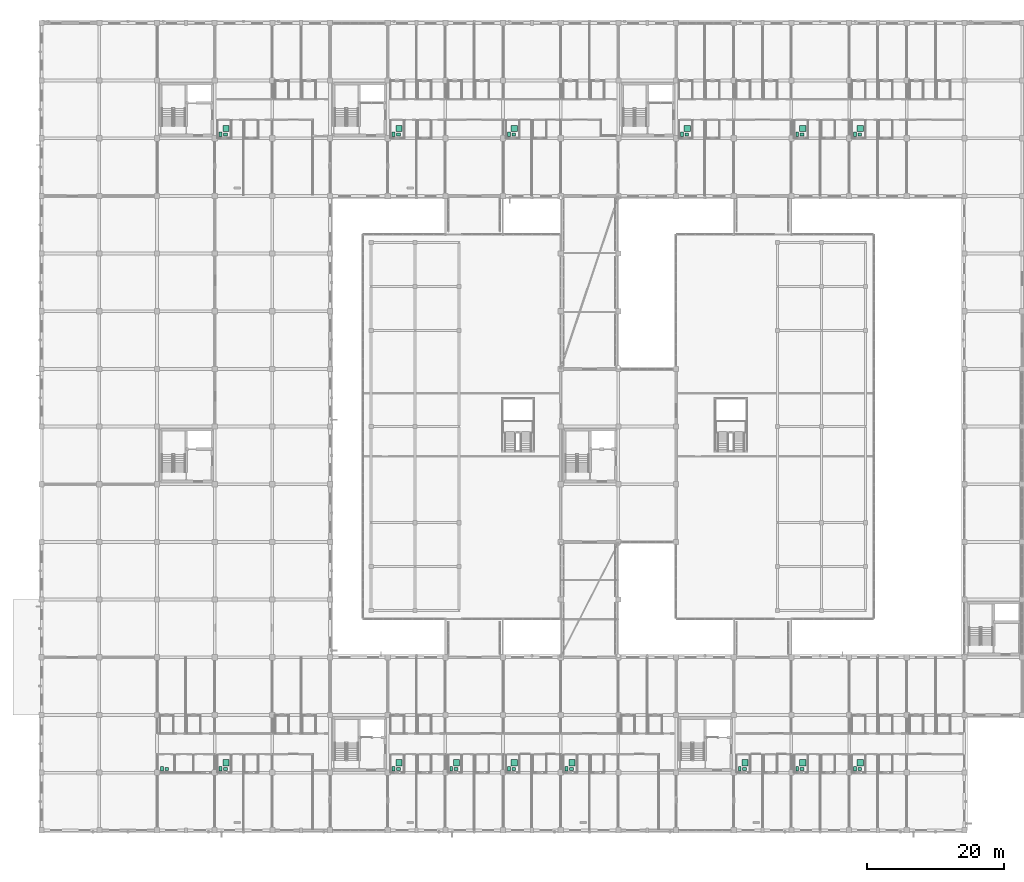
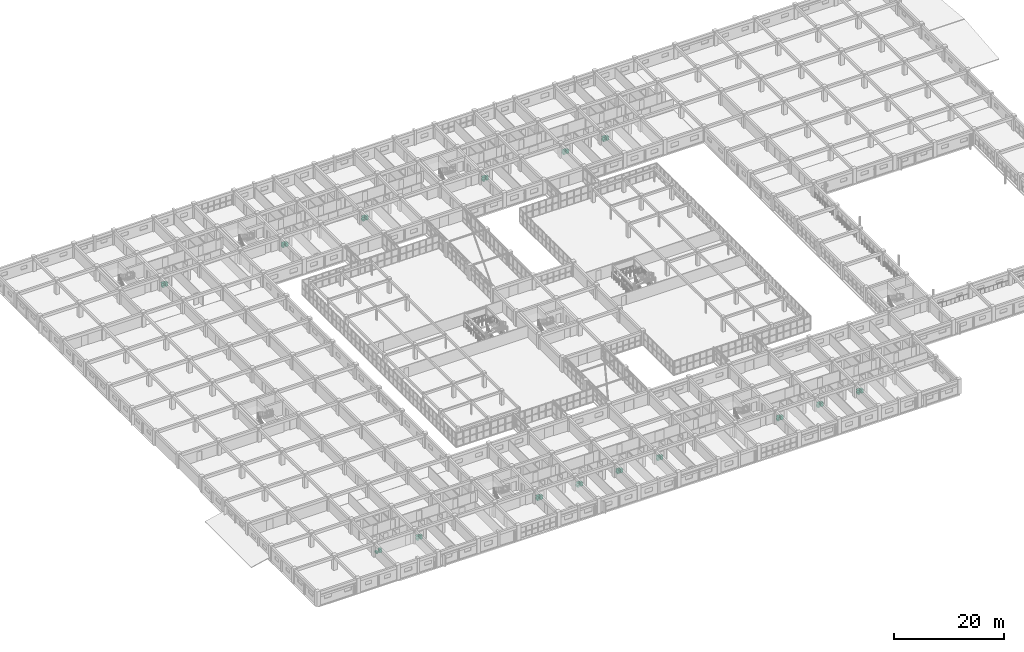
# One storey, part 200 of 200: 44 sanitary terminals.
"""IFC4 building model written with IfcOpenShell, lengths in metres."""

import ifcopenshell
import ifcopenshell.guid

model = None  # the IFC model being written
_history = None  # IfcOwnerHistory: only IFC2X3 demands one
_inside = {}  # id of a spatial element -> (the spatial element, [elements in it])
_under = {}  # id of a project, library or spatial element -> (it, [spatial elements below it])
_declared = {}  # id of a project -> (the project, [libraries it declares])
_typed = {}  # id of a type object -> (the type object, [elements of that type])
_made_of = {}  # id of a material, layer set ... -> (it, [elements and type objects made of it])


def new_model(schema):
    """Start an empty IFC model of exactly this schema.

    Asked for "IFC4X3", IfcOpenShell would pick the latest addendum, in which some entities
    have other attributes; the version numbers below select the first issue.
    IFC2X3 requires an IfcOwnerHistory on every rooted entity: one is made here for all.
    """
    global model, _history
    if schema == "IFC4X3":
        model = ifcopenshell.file(schema_version=(4, 3, 0, 0))
    else:
        model = ifcopenshell.file(schema=schema)
    _inside.clear()
    _under.clear()
    _declared.clear()
    _typed.clear()
    _made_of.clear()
    _history = None
    if model.schema == "IFC2X3":
        org = make("IfcOrganization", Name="unknown")
        user = make(
            "IfcPersonAndOrganization",
            ThePerson=make("IfcPerson", FamilyName="unknown"),
            TheOrganization=org,
        )
        app = make(
            "IfcApplication",
            ApplicationDeveloper=org,
            Version="unknown",
            ApplicationFullName="unknown",
            ApplicationIdentifier="unknown",
        )
        _history = make(
            "IfcOwnerHistory",
            OwningUser=user,
            OwningApplication=app,
            ChangeAction="ADDED",
            CreationDate=0,
        )
    return model


def make(cls, **values):
    """One entity of the class cls with the attributes given. An attribute that is None is left unset."""
    return model.create_entity(
        cls, **{name: value for name, value in values.items() if value is not None}
    )


def rooted(cls, **values):
    """An entity with a GlobalId (a new one), such as an element, a storey or a relation."""
    return make(cls, GlobalId=ifcopenshell.guid.new(), OwnerHistory=_history, **values)


def si_unit(unit_type, name, prefix=None):
    """IfcSIUnit, for example si_unit("LENGTHUNIT", "METRE", prefix="MILLI")."""
    return make("IfcSIUnit", UnitType=unit_type, Prefix=prefix, Name=name)


def assignment(units):
    """IfcUnitAssignment: the units of a project."""
    return None if units is None else make("IfcUnitAssignment", Units=units)


def point(xyz):
    """IfcCartesianPoint."""
    return None if xyz is None else make("IfcCartesianPoint", Coordinates=xyz)


def direction(xyz):
    """IfcDirection."""
    return None if xyz is None else make("IfcDirection", DirectionRatios=xyz)


def frame(location, z_axis=None, x_axis=None):
    """IfcAxis2Placement3D, a coordinate frame: its origin and axes. An axis left out is left unset."""
    return make(
        "IfcAxis2Placement3D",
        Location=point(location),
        Axis=direction(z_axis),
        RefDirection=direction(x_axis),
    )


def frame_2d(location, x_axis=None):
    """IfcAxis2Placement2D, a coordinate frame in the plane: its origin and x axis."""
    return make(
        "IfcAxis2Placement2D", Location=point(location), RefDirection=direction(x_axis)
    )


def origin():
    """The frame at (0, 0, 0) with its axes left unset."""
    return frame((0.0, 0.0, 0.0))


def origin_2d():
    """The frame at (0, 0) in the plane with its x axis left unset."""
    return frame_2d((0.0, 0.0))


def place(relative_to, where):
    """IfcLocalPlacement: puts the frame where relative to a parent placement (None: the world)."""
    return make(
        "IfcLocalPlacement", PlacementRelTo=relative_to, RelativePlacement=where
    )


def context(
    kind, dimensions, precision=None, world=None, true_north=None, identifier=None
):
    """IfcGeometricRepresentationContext, for example the 3D "Model" context."""
    return make(
        "IfcGeometricRepresentationContext",
        ContextIdentifier=identifier,
        ContextType=kind,
        CoordinateSpaceDimension=dimensions,
        Precision=precision,
        WorldCoordinateSystem=world,
        TrueNorth=true_north,
    )


def subcontext(parent, identifier, kind, view, scale=None):
    """IfcGeometricRepresentationSubContext, for example "Body" below "Model"."""
    return make(
        "IfcGeometricRepresentationSubContext",
        ContextIdentifier=identifier,
        ContextType=kind,
        ParentContext=parent,
        TargetScale=scale,
        TargetView=view,
    )


def project(units=None, contexts=None):
    """IfcProject with its units and contexts."""
    return rooted(
        "IfcProject",
        Name="project",
        RepresentationContexts=contexts,
        UnitsInContext=assignment(units),
    )


def spatial(cls, under=None, at=None, **own):
    """A site, building, storey or space (cls), placed at a placement, below another one or the project."""
    s = rooted(cls, ObjectPlacement=at, **own)
    if under is not None:
        _under.setdefault(under.id(), (under, []))[1].append(s)
    return s


def profile(cls, at=None, kind="AREA", **sizes):
    """A parametric profile (cls). Its sizes go by their IFC names, for example OverallWidth=200.0."""
    return make(cls, ProfileType=kind, Position=at, **sizes)


def rectangle(**sizes):
    """IfcRectangleProfileDef."""
    return profile("IfcRectangleProfileDef", **sizes)


def extrude(swept, where, along, depth):
    """IfcExtrudedAreaSolid: the profile swept, set in the frame where, extruded along a direction by depth."""
    return make(
        "IfcExtrudedAreaSolid",
        SweptArea=swept,
        Position=where,
        ExtrudedDirection=direction(along),
        Depth=depth,
    )


def shape(context_of_items, identifier, shape_type, items):
    """IfcShapeRepresentation: the items that make up one representation, for example the "Body"."""
    return make(
        "IfcShapeRepresentation",
        ContextOfItems=context_of_items,
        RepresentationIdentifier=identifier,
        RepresentationType=shape_type,
        Items=items,
    )


def material(Name=None, Category=None):
    """IfcMaterial."""
    return make("IfcMaterial", Name=Name, Category=Category)


def made_of(thing, what):
    """Note that an element or type object is made of a material, layer set ...; save() writes the relation."""
    if what is not None:
        _made_of.setdefault(what.id(), (what, []))[1].append(thing)
    return thing


def type_object(cls, material=None, **own):
    """A type object (cls), such as IfcWallType, which elements share."""
    return made_of(rooted(cls, **own), material)


def element(
    cls,
    number,
    at=None,
    inside=None,
    cuts=None,
    type_object=None,
    material=None,
    context=None,
    identifier="Body",
    shape_type=None,
    held_by="IfcProductDefinitionShape",
    body=None,
    shapes=None,
    **own,
):
    """One element of the class cls, such as IfcWall. Its Tag is "e" and its number.

    at: its placement. inside: the storey or other place that contains it. cuts: it is an
    opening in that element (IfcRelVoidsElement). A single representation is given by context,
    identifier, shape_type and body (its items); several are given by shapes. held_by: the class
    of the entity that holds the representations. save() writes the other relations.
    """
    e = rooted(cls, Tag="e%d" % number, ObjectPlacement=at, **own)
    if body is not None:
        shapes = [shape(context, identifier, shape_type, body)]
    if shapes is not None:
        e.Representation = make(held_by, Representations=shapes)
    if inside is not None:
        _inside.setdefault(inside.id(), (inside, []))[1].append(e)
    if cuts is not None:
        rooted(
            "IfcRelVoidsElement", RelatingBuildingElement=cuts, RelatedOpeningElement=e
        )
    if type_object is not None:
        _typed.setdefault(type_object.id(), (type_object, []))[1].append(e)
    return made_of(e, material)


def aggregate(whole, parts):
    """IfcRelAggregates: a whole, such as a stair, and the parts it consists of."""
    return rooted("IfcRelAggregates", RelatingObject=whole, RelatedObjects=parts)


def save(model, path):
    """Write the relations noted so far, then the file.

    IfcRelAggregates (storeys below a building ...), IfcRelContainedInSpatialStructure (elements
    in a storey), IfcRelDefinesByType, IfcRelAssociatesMaterial and IfcRelDeclares: one each for
    every whole, place, type object, material and project.
    """
    for whole, parts in _under.values():
        aggregate(whole, parts)
    for where, things in _inside.values():
        rooted(
            "IfcRelContainedInSpatialStructure",
            RelatedElements=things,
            RelatingStructure=where,
        )
    for kind, things in _typed.values():
        rooted("IfcRelDefinesByType", RelatedObjects=things, RelatingType=kind)
    for what, things in _made_of.values():
        rooted("IfcRelAssociatesMaterial", RelatedObjects=things, RelatingMaterial=what)
    for by, libraries in _declared.values():
        rooted("IfcRelDeclares", RelatingContext=by, RelatedDefinitions=libraries)
    model.write(path)


model = new_model("IFC4")

# Units and contexts
model_context = context("Model", 3, precision=1e-05, world=origin(), true_north=direction((0.0, 1.0)))
body_context = subcontext(model_context, "Body", "Model", "MODEL_VIEW")
ifc_project = project(units=[si_unit("LENGTHUNIT", "METRE"), si_unit("AREAUNIT", "SQUARE_METRE"), si_unit("VOLUMEUNIT", "CUBIC_METRE"), si_unit("PLANEANGLEUNIT", "RADIAN"), si_unit("MASSUNIT", "GRAM", prefix="KILO")], contexts=[model_context])

# Site, building, storey
site_placement = place(None, origin())
site = spatial("IfcSite", under=ifc_project, at=site_placement, CompositionType="ELEMENT")
building_placement = place(site_placement, origin())
building = spatial("IfcBuilding", under=site, at=building_placement, Name="Trelvath General Hospital", CompositionType="ELEMENT")
storey_placement = place(building_placement, frame((0.0, 0.0, 4.800048828125)))
storey = spatial("IfcBuildingStorey", under=building, at=storey_placement, Name="L01", CompositionType="ELEMENT", Elevation=4.800048828125)

# Sanitary terminals
ifc_material_1 = material(Name="Sanitary glazed porcelain")
sanitary_terminal_type_1 = type_object("IfcSanitaryTerminalType", Name="Sanitary Basin", PredefinedType="WASHHANDBASIN", material=ifc_material_1)
for number, where, z_axis, x_axis, name in (
    (1, (18.219970703125, 8.93994140625, 0.0), (0.0, 0.0, 1.0), (1.0, 0.0, 0.0), "Pedestal Washbasin FIT-L01-V6-AWC-2"),
    (2, (26.760009765625, 8.929931640625, 0.0), (0.0, 0.0, 1.0), (1.0, 0.0, 0.0), "Pedestal Washbasin FIT-L01-V6-3-W"),
    (3, (51.9599609375, 8.929931640625, 0.0), (0.0, 0.0, 1.0), (1.0, 0.0, 0.0), "Pedestal Washbasin FIT-L01-V6-6-W"),
    (4, (60.360107421875, 8.929931640625, 0.0), (0.0, 0.0, 1.0), (1.0, 0.0, 0.0), "Pedestal Washbasin FIT-L01-V6-7-W"),
    (5, (68.760009765625, 8.929931640625, 0.0), (0.0, 0.0, 1.0), (1.0, 0.0, 0.0), "Pedestal Washbasin FIT-L01-V6-8-W"),
    (6, (77.159912109375, 8.929931640625, 0.0), (0.0, 0.0, 1.0), (1.0, 0.0, 0.0), "Pedestal Washbasin FIT-L01-V6-9-W"),
    (7, (102.360107421875, 8.929931640625, 0.0), (0.0, 0.0, 1.0), (1.0, 0.0, 0.0), "Pedestal Washbasin FIT-L01-V6-12-W"),
    (8, (110.760009765625, 8.929931640625, 0.0), (0.0, 0.0, 1.0), (1.0, 0.0, 0.0), "Pedestal Washbasin FIT-L01-V6-13-W"),
    (9, (119.159912109375, 8.929931640625, 0.0), (0.0, 0.0, 1.0), (1.0, 0.0, 0.0), "Pedestal Washbasin FIT-L01-V6-14-W"),
    (10, (26.760009765625, 101.330078125, 0.0), (0.0, 0.0, 1.0), (1.0, 0.0, 0.0), "Pedestal Washbasin FIT-L01-V5-3-W"),
    (11, (51.9599609375, 101.330078125, 0.0), (0.0, 0.0, 1.0), (1.0, 0.0, 0.0), "Pedestal Washbasin FIT-L01-V5-6-W"),
    (12, (68.760009765625, 101.330078125, 0.0), (0.0, 0.0, 1.0), (1.0, 0.0, 0.0), "Pedestal Washbasin FIT-L01-V5-8-W"),
    (13, (93.9599609375, 101.330078125, 0.0), (0.0, 0.0, 1.0), (1.0, 0.0, 0.0), "Pedestal Washbasin FIT-L01-V5-11-W"),
    (14, (110.760009765625, 101.330078125, 0.0), (0.0, 0.0, 1.0), (1.0, 0.0, 0.0), "Pedestal Washbasin FIT-L01-V5-13-W"),
    (15, (119.159912109375, 101.330078125, 0.0), (0.0, 0.0, 1.0), (1.0, 0.0, 0.0), "Pedestal Washbasin FIT-L01-V5-14-W"),
):
    element("IfcSanitaryTerminal", number, at=place(storey_placement, frame(where, z_axis=z_axis, x_axis=x_axis)), inside=storey, type_object=sanitary_terminal_type_1, Name=name, PredefinedType="WASHHANDBASIN", context=body_context, shape_type="SweptSolid", body=[
        extrude(rectangle(XDim=0.550048828125, YDim=0.449951171875, at=origin_2d()), origin(), (0.0, 0.0, 1.0), 0.85009765625),
    ])
ifc_material_2 = material(Name="Sanitary glazed porcelain")
sanitary_terminal_type_2 = type_object("IfcSanitaryTerminalType", Name="Sanitary Shower", PredefinedType="SHOWER", material=ifc_material_2)
for number, where, z_axis, x_axis, name in (
    (16, (26.840087890625, 9.840087890625, 0.0), (0.0, 0.0, 1.0), (1.0, 0.0, 0.0), "Roll-in Shower FIT-L01-V6-3-W"),
    (17, (52.0400390625, 9.840087890625, 0.0), (0.0, 0.0, 1.0), (1.0, 0.0, 0.0), "Roll-in Shower FIT-L01-V6-6-W"),
    (18, (60.43994140625, 9.840087890625, 0.0), (0.0, 0.0, 1.0), (1.0, 0.0, 0.0), "Roll-in Shower FIT-L01-V6-7-W"),
    (19, (68.840087890625, 9.840087890625, 0.0), (0.0, 0.0, 1.0), (1.0, 0.0, 0.0), "Roll-in Shower FIT-L01-V6-8-W"),
    (20, (77.239990234375, 9.840087890625, 0.0), (0.0, 0.0, 1.0), (1.0, 0.0, 0.0), "Roll-in Shower FIT-L01-V6-9-W"),
    (21, (102.43994140625, 9.840087890625, 0.0), (0.0, 0.0, 1.0), (1.0, 0.0, 0.0), "Roll-in Shower FIT-L01-V6-12-W"),
    (22, (110.840087890625, 9.840087890625, 0.0), (0.0, 0.0, 1.0), (1.0, 0.0, 0.0), "Roll-in Shower FIT-L01-V6-13-W"),
    (23, (119.239990234375, 9.840087890625, 0.0), (0.0, 0.0, 1.0), (1.0, 0.0, 0.0), "Roll-in Shower FIT-L01-V6-14-W"),
    (24, (26.840087890625, 102.239990234375, 0.0), (0.0, 0.0, 1.0), (1.0, 0.0, 0.0), "Roll-in Shower FIT-L01-V5-3-W"),
    (25, (52.0400390625, 102.239990234375, 0.0), (0.0, 0.0, 1.0), (1.0, 0.0, 0.0), "Roll-in Shower FIT-L01-V5-6-W"),
    (26, (68.840087890625, 102.239990234375, 0.0), (0.0, 0.0, 1.0), (1.0, 0.0, 0.0), "Roll-in Shower FIT-L01-V5-8-W"),
    (27, (94.0400390625, 102.239990234375, 0.0), (0.0, 0.0, 1.0), (1.0, 0.0, 0.0), "Roll-in Shower FIT-L01-V5-11-W"),
    (28, (110.840087890625, 102.239990234375, 0.0), (0.0, 0.0, 1.0), (1.0, 0.0, 0.0), "Roll-in Shower FIT-L01-V5-13-W"),
    (29, (119.239990234375, 102.239990234375, 0.0), (0.0, 0.0, 1.0), (1.0, 0.0, 0.0), "Roll-in Shower FIT-L01-V5-14-W"),
):
    element("IfcSanitaryTerminal", number, at=place(storey_placement, frame(where, z_axis=z_axis, x_axis=x_axis)), inside=storey, type_object=sanitary_terminal_type_2, Name=name, PredefinedType="SHOWER", context=body_context, shape_type="SweptSolid", body=[
        extrude(rectangle(XDim=0.89990234375, YDim=0.89990234375, at=origin_2d()), origin(), (0.0, 0.0, 1.0), 0.080078125),
    ])
ifc_material_3 = material(Name="Sanitary glazed porcelain")
sanitary_terminal_type_3 = type_object("IfcSanitaryTerminalType", Name="Sanitary WC", PredefinedType="TOILETPAN", material=ifc_material_3)
for number, where, z_axis, x_axis, name in (
    (30, (17.52001953125, 8.97998046875, 0.0), (0.0, 0.0, 1.0), (1.0, 0.0, 0.0), "WC Pan FIT-L01-V6-AWC-2"),
    (31, (26.06005859375, 8.969970703125, 0.0), (0.0, 0.0, 1.0), (1.0, 0.0, 0.0), "WC Pan FIT-L01-V6-3-W"),
    (32, (51.260009765625, 8.969970703125, 0.0), (0.0, 0.0, 1.0), (1.0, 0.0, 0.0), "WC Pan FIT-L01-V6-6-W"),
    (33, (59.659912109375, 8.969970703125, 0.0), (0.0, 0.0, 1.0), (1.0, 0.0, 0.0), "WC Pan FIT-L01-V6-7-W"),
    (34, (68.06005859375, 8.969970703125, 0.0), (0.0, 0.0, 1.0), (1.0, 0.0, 0.0), "WC Pan FIT-L01-V6-8-W"),
    (35, (76.4599609375, 8.969970703125, 0.0), (0.0, 0.0, 1.0), (1.0, 0.0, 0.0), "WC Pan FIT-L01-V6-9-W"),
    (36, (101.659912109375, 8.969970703125, 0.0), (0.0, 0.0, 1.0), (1.0, 0.0, 0.0), "WC Pan FIT-L01-V6-12-W"),
    (37, (110.06005859375, 8.969970703125, 0.0), (0.0, 0.0, 1.0), (1.0, 0.0, 0.0), "WC Pan FIT-L01-V6-13-W"),
    (38, (118.4599609375, 8.969970703125, 0.0), (0.0, 0.0, 1.0), (1.0, 0.0, 0.0), "WC Pan FIT-L01-V6-14-W"),
    (39, (26.06005859375, 101.3701171875, 0.0), (0.0, 0.0, 1.0), (1.0, 0.0, 0.0), "WC Pan FIT-L01-V5-3-W"),
    (40, (51.260009765625, 101.3701171875, 0.0), (0.0, 0.0, 1.0), (1.0, 0.0, 0.0), "WC Pan FIT-L01-V5-6-W"),
    (41, (68.06005859375, 101.3701171875, 0.0), (0.0, 0.0, 1.0), (1.0, 0.0, 0.0), "WC Pan FIT-L01-V5-8-W"),
    (42, (93.260009765625, 101.3701171875, 0.0), (0.0, 0.0, 1.0), (1.0, 0.0, 0.0), "WC Pan FIT-L01-V5-11-W"),
    (43, (110.06005859375, 101.3701171875, 0.0), (0.0, 0.0, 1.0), (1.0, 0.0, 0.0), "WC Pan FIT-L01-V5-13-W"),
    (44, (118.4599609375, 101.3701171875, 0.0), (0.0, 0.0, 1.0), (1.0, 0.0, 0.0), "WC Pan FIT-L01-V5-14-W"),
):
    element("IfcSanitaryTerminal", number, at=place(storey_placement, frame(where, z_axis=z_axis, x_axis=x_axis)), inside=storey, type_object=sanitary_terminal_type_3, Name=name, PredefinedType="TOILETPAN", context=body_context, shape_type="SweptSolid", body=[
        extrude(rectangle(XDim=0.39990234375, YDim=0.64990234375, at=origin_2d()), origin(), (0.0, 0.0, 1.0), 0.449951171875),
    ])

save(model, "model.ifc")
